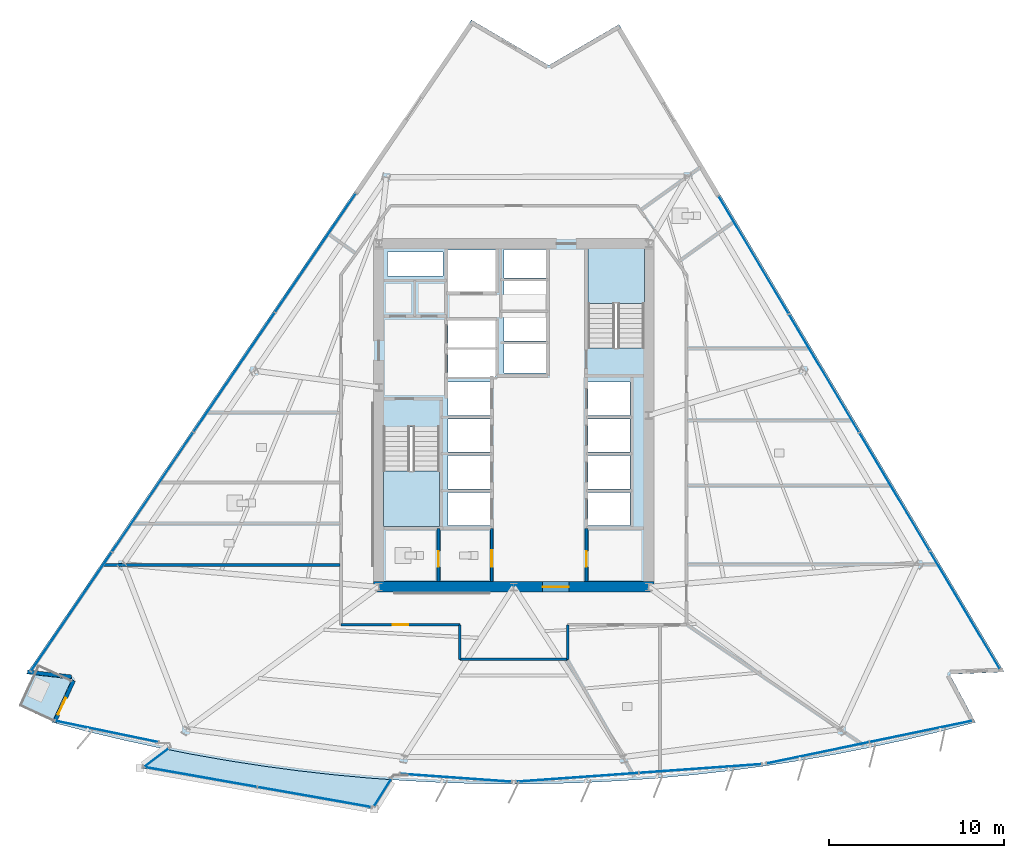
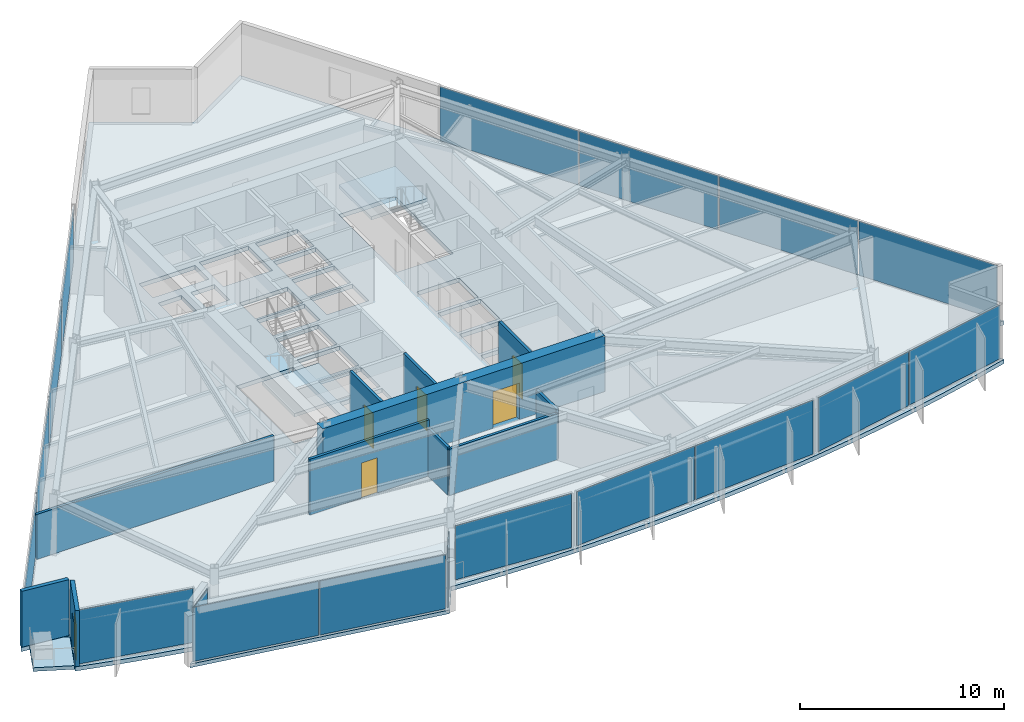
# One storey, part 7 of 15: 18 plates, 11 walls, 6 doors, 5 slabs, 6 openings, 11 elements without a shape of their own.
"""IFC4 building model written with IfcOpenShell, lengths in metres."""

import ifcopenshell
import ifcopenshell.guid

model = None  # the IFC model being written
_history = None  # IfcOwnerHistory: only IFC2X3 demands one
_inside = {}  # id of a spatial element -> (the spatial element, [elements in it])
_under = {}  # id of a project, library or spatial element -> (it, [spatial elements below it])
_declared = {}  # id of a project -> (the project, [libraries it declares])
_typed = {}  # id of a type object -> (the type object, [elements of that type])
_made_of = {}  # id of a material, layer set ... -> (it, [elements and type objects made of it])


def new_model(schema):
    """Start an empty IFC model of exactly this schema.

    Asked for "IFC4X3", IfcOpenShell would pick the latest addendum, in which some entities
    have other attributes; the version numbers below select the first issue.
    IFC2X3 requires an IfcOwnerHistory on every rooted entity: one is made here for all.
    """
    global model, _history
    if schema == "IFC4X3":
        model = ifcopenshell.file(schema_version=(4, 3, 0, 0))
    else:
        model = ifcopenshell.file(schema=schema)
    _inside.clear()
    _under.clear()
    _declared.clear()
    _typed.clear()
    _made_of.clear()
    _history = None
    if model.schema == "IFC2X3":
        org = make("IfcOrganization", Name="unknown")
        user = make(
            "IfcPersonAndOrganization",
            ThePerson=make("IfcPerson", FamilyName="unknown"),
            TheOrganization=org,
        )
        app = make(
            "IfcApplication",
            ApplicationDeveloper=org,
            Version="unknown",
            ApplicationFullName="unknown",
            ApplicationIdentifier="unknown",
        )
        _history = make(
            "IfcOwnerHistory",
            OwningUser=user,
            OwningApplication=app,
            ChangeAction="ADDED",
            CreationDate=0,
        )
    return model


def make(cls, **values):
    """One entity of the class cls with the attributes given. An attribute that is None is left unset."""
    return model.create_entity(
        cls, **{name: value for name, value in values.items() if value is not None}
    )


def rooted(cls, **values):
    """An entity with a GlobalId (a new one), such as an element, a storey or a relation."""
    return make(cls, GlobalId=ifcopenshell.guid.new(), OwnerHistory=_history, **values)


def si_unit(unit_type, name, prefix=None):
    """IfcSIUnit, for example si_unit("LENGTHUNIT", "METRE", prefix="MILLI")."""
    return make("IfcSIUnit", UnitType=unit_type, Prefix=prefix, Name=name)


def assignment(units):
    """IfcUnitAssignment: the units of a project."""
    return None if units is None else make("IfcUnitAssignment", Units=units)


def point(xyz):
    """IfcCartesianPoint."""
    return None if xyz is None else make("IfcCartesianPoint", Coordinates=xyz)


def direction(xyz):
    """IfcDirection."""
    return None if xyz is None else make("IfcDirection", DirectionRatios=xyz)


def frame(location, z_axis=None, x_axis=None):
    """IfcAxis2Placement3D, a coordinate frame: its origin and axes. An axis left out is left unset."""
    return make(
        "IfcAxis2Placement3D",
        Location=point(location),
        Axis=direction(z_axis),
        RefDirection=direction(x_axis),
    )


def frame_2d(location, x_axis=None):
    """IfcAxis2Placement2D, a coordinate frame in the plane: its origin and x axis."""
    return make(
        "IfcAxis2Placement2D", Location=point(location), RefDirection=direction(x_axis)
    )


def origin():
    """The frame at (0, 0, 0) with its axes left unset."""
    return frame((0.0, 0.0, 0.0))


def origin_2d():
    """The frame at (0, 0) in the plane with its x axis left unset."""
    return frame_2d((0.0, 0.0))


def place(relative_to, where):
    """IfcLocalPlacement: puts the frame where relative to a parent placement (None: the world)."""
    return make(
        "IfcLocalPlacement", PlacementRelTo=relative_to, RelativePlacement=where
    )


def context(
    kind, dimensions, precision=None, world=None, true_north=None, identifier=None
):
    """IfcGeometricRepresentationContext, for example the 3D "Model" context."""
    return make(
        "IfcGeometricRepresentationContext",
        ContextIdentifier=identifier,
        ContextType=kind,
        CoordinateSpaceDimension=dimensions,
        Precision=precision,
        WorldCoordinateSystem=world,
        TrueNorth=true_north,
    )


def subcontext(parent, identifier, kind, view, scale=None):
    """IfcGeometricRepresentationSubContext, for example "Body" below "Model"."""
    return make(
        "IfcGeometricRepresentationSubContext",
        ContextIdentifier=identifier,
        ContextType=kind,
        ParentContext=parent,
        TargetScale=scale,
        TargetView=view,
    )


def project(units=None, contexts=None):
    """IfcProject with its units and contexts."""
    return rooted(
        "IfcProject",
        Name="project",
        RepresentationContexts=contexts,
        UnitsInContext=assignment(units),
    )


def spatial(cls, under=None, at=None, **own):
    """A site, building, storey or space (cls), placed at a placement, below another one or the project."""
    s = rooted(cls, ObjectPlacement=at, **own)
    if under is not None:
        _under.setdefault(under.id(), (under, []))[1].append(s)
    return s


def polyline(points):
    """IfcPolyline through the points."""
    return make("IfcPolyline", Points=[point(p) for p in points])


def profile(cls, at=None, kind="AREA", **sizes):
    """A parametric profile (cls). Its sizes go by their IFC names, for example OverallWidth=200.0."""
    return make(cls, ProfileType=kind, Position=at, **sizes)


def rectangle(**sizes):
    """IfcRectangleProfileDef."""
    return profile("IfcRectangleProfileDef", **sizes)


def outline(outer, holes=None, kind="AREA"):
    """IfcArbitraryClosedProfileDef: a profile drawn as a closed curve; with holes, ...WithVoids."""
    if holes is None:
        return make("IfcArbitraryClosedProfileDef", ProfileType=kind, OuterCurve=outer)
    return make(
        "IfcArbitraryProfileDefWithVoids",
        ProfileType=kind,
        OuterCurve=outer,
        InnerCurves=holes,
    )


def extrude(swept, where, along, depth):
    """IfcExtrudedAreaSolid: the profile swept, set in the frame where, extruded along a direction by depth."""
    return make(
        "IfcExtrudedAreaSolid",
        SweptArea=swept,
        Position=where,
        ExtrudedDirection=direction(along),
        Depth=depth,
    )


def shape(context_of_items, identifier, shape_type, items):
    """IfcShapeRepresentation: the items that make up one representation, for example the "Body"."""
    return make(
        "IfcShapeRepresentation",
        ContextOfItems=context_of_items,
        RepresentationIdentifier=identifier,
        RepresentationType=shape_type,
        Items=items,
    )


def material(Name=None, Category=None):
    """IfcMaterial."""
    return make("IfcMaterial", Name=Name, Category=Category)


def layer(
    of_material, thickness, ventilated=None, Name=None, Category=None, Priority=None
):
    """IfcMaterialLayer: one layer of a wall or slab, of a material (None: an air gap)."""
    return make(
        "IfcMaterialLayer",
        Material=of_material,
        LayerThickness=thickness,
        IsVentilated=ventilated,
        Name=Name,
        Category=Category,
        Priority=Priority,
    )


def layer_set(layers, Name=None):
    """IfcMaterialLayerSet."""
    return make("IfcMaterialLayerSet", MaterialLayers=layers, LayerSetName=Name)


def made_of(thing, what):
    """Note that an element or type object is made of a material, layer set ...; save() writes the relation."""
    if what is not None:
        _made_of.setdefault(what.id(), (what, []))[1].append(thing)
    return thing


def type_object(cls, material=None, **own):
    """A type object (cls), such as IfcWallType, which elements share."""
    return made_of(rooted(cls, **own), material)


def element(
    cls,
    number,
    at=None,
    inside=None,
    cuts=None,
    type_object=None,
    material=None,
    context=None,
    identifier="Body",
    shape_type=None,
    held_by="IfcProductDefinitionShape",
    body=None,
    shapes=None,
    **own,
):
    """One element of the class cls, such as IfcWall. Its Tag is "e" and its number.

    at: its placement. inside: the storey or other place that contains it. cuts: it is an
    opening in that element (IfcRelVoidsElement). A single representation is given by context,
    identifier, shape_type and body (its items); several are given by shapes. held_by: the class
    of the entity that holds the representations. save() writes the other relations.
    """
    e = rooted(cls, Tag="e%d" % number, ObjectPlacement=at, **own)
    if body is not None:
        shapes = [shape(context, identifier, shape_type, body)]
    if shapes is not None:
        e.Representation = make(held_by, Representations=shapes)
    if inside is not None:
        _inside.setdefault(inside.id(), (inside, []))[1].append(e)
    if cuts is not None:
        rooted(
            "IfcRelVoidsElement", RelatingBuildingElement=cuts, RelatedOpeningElement=e
        )
    if type_object is not None:
        _typed.setdefault(type_object.id(), (type_object, []))[1].append(e)
    return made_of(e, material)


def fill(opening, filler):
    """IfcRelFillsElement: the door or window that sits in an opening."""
    return rooted(
        "IfcRelFillsElement",
        RelatingOpeningElement=opening,
        RelatedBuildingElement=filler,
    )


def aggregate(whole, parts):
    """IfcRelAggregates: a whole, such as a stair, and the parts it consists of."""
    return rooted("IfcRelAggregates", RelatingObject=whole, RelatedObjects=parts)


def save(model, path):
    """Write the relations noted so far, then the file.

    IfcRelAggregates (storeys below a building ...), IfcRelContainedInSpatialStructure (elements
    in a storey), IfcRelDefinesByType, IfcRelAssociatesMaterial and IfcRelDeclares: one each for
    every whole, place, type object, material and project.
    """
    for whole, parts in _under.values():
        aggregate(whole, parts)
    for where, things in _inside.values():
        rooted(
            "IfcRelContainedInSpatialStructure",
            RelatedElements=things,
            RelatingStructure=where,
        )
    for kind, things in _typed.values():
        rooted("IfcRelDefinesByType", RelatedObjects=things, RelatingType=kind)
    for what, things in _made_of.values():
        rooted("IfcRelAssociatesMaterial", RelatedObjects=things, RelatingMaterial=what)
    for by, libraries in _declared.values():
        rooted("IfcRelDeclares", RelatingContext=by, RelatedDefinitions=libraries)
    model.write(path)


model = new_model("IFC4")

# Units and contexts
model_context = context("Model", 3, precision=1e-05, world=origin(), true_north=direction((0.0, 1.0)))
body_context = subcontext(model_context, "Body", "Model", "MODEL_VIEW")
ifc_project = project(units=[si_unit("LENGTHUNIT", "METRE"), si_unit("AREAUNIT", "SQUARE_METRE"), si_unit("VOLUMEUNIT", "CUBIC_METRE"), si_unit("PLANEANGLEUNIT", "RADIAN"), si_unit("MASSUNIT", "GRAM", prefix="KILO")], contexts=[model_context])

# Site, building, storey
site_placement = place(None, origin())
site = spatial("IfcSite", under=ifc_project, at=site_placement, CompositionType="ELEMENT")
building_placement = place(site_placement, origin())
building = spatial("IfcBuilding", under=site, at=building_placement, Name="Savorim Split Tower", CompositionType="ELEMENT")
storey_placement = place(building_placement, frame((0.0, 0.0, 107.699951171875)))
storey = spatial("IfcBuildingStorey", under=building, at=storey_placement, Name="L28", CompositionType="ELEMENT", Elevation=107.699951171875)

# Curtain wall, plate
ifc_material_1 = material(Name="Dark Ceramic-Fritted Insulated Glass", Category="glass")
curtain_wall_type_1 = type_object("IfcCurtainWallType", Name="CW-TWR-FRIT-A", PredefinedType="NOTDEFINED", material=ifc_material_1)
curtain_wall_1_placement = place(storey_placement, origin())
curtain_wall_1 = element("IfcCurtainWall", 1, at=curtain_wall_1_placement, inside=storey, type_object=curtain_wall_type_1, Name="L28 Curtain Wall CW-L28-SF1A", PredefinedType="NOTDEFINED")
ifc_layer_1 = layer(ifc_material_1, 0.028076171875)
ifc_layer_set_1 = layer_set([ifc_layer_1], Name="CWP-FRITA-28")
plate_type_1 = type_object("IfcPlateType", Name="CWP-FRITA-28", PredefinedType="CURTAIN_PANEL", material=ifc_layer_set_1)
plate_1_placement = place(storey_placement, frame((-23.23974609375, -17.648681640625, 0.05517578125), z_axis=(0.0, 0.0, 1.0), x_axis=(0.979135126967, -0.203210243687, 0.0)))
plate_1 = element("IfcPlate", 2, at=plate_1_placement, type_object=plate_type_1, Name="CW-02 panel 1.1", PredefinedType="CURTAIN_PANEL", context=body_context, shape_type="SweptSolid", body=[
    extrude(rectangle(XDim=5.98388671875, YDim=0.028076171875, at=origin_2d()), origin(), (0.0, 0.0, 1.0), 3.239990234375),
])
aggregate(curtain_wall_1, [plate_1])

curtain_wall_2_placement = place(storey_placement, origin())
curtain_wall_2 = element("IfcCurtainWall", 3, at=curtain_wall_2_placement, inside=storey, type_object=curtain_wall_type_1, Name="L28 Curtain Wall CW-L28-SF2A", PredefinedType="NOTDEFINED")
plate_2_placement = place(storey_placement, frame((-3.314453125, -20.293212890625, 0.05517578125), z_axis=(0.0, 0.0, 1.0), x_axis=(0.997436108021, -0.071562632816, 0.0)))
plate_2 = element("IfcPlate", 4, at=plate_2_placement, type_object=plate_type_1, Name="CW-02 panel 1.1", PredefinedType="CURTAIN_PANEL", context=body_context, shape_type="SweptSolid", body=[
    extrude(rectangle(XDim=6.332763671875, YDim=0.028076171875, at=origin_2d()), origin(), (0.0, 0.0, 1.0), 3.239990234375),
])
aggregate(curtain_wall_2, [plate_2])

# Curtain wall, plates
curtain_wall_3_placement = place(storey_placement, origin())
curtain_wall_3 = element("IfcCurtainWall", 5, at=curtain_wall_3_placement, inside=storey, type_object=curtain_wall_type_1, Name="L28 Curtain Wall CW-L28-SF3A", PredefinedType="NOTDEFINED")
plate_3_placement = place(storey_placement, frame((3.63525390625, -20.27001953125, 0.05517578125), z_axis=(0.0, 0.0, 1.0), x_axis=(0.997436369916, 0.071558982453, 0.0)))
plate_3 = element("IfcPlate", 6, at=plate_3_placement, type_object=plate_type_1, Name="CW-02 panel 1.1", PredefinedType="CURTAIN_PANEL", context=body_context, shape_type="SweptSolid", body=[
    extrude(rectangle(XDim=6.976318359375, YDim=0.028076171875, at=origin_2d()), origin(), (0.0, 0.0, 1.0), 3.239990234375),
])
plate_4_placement = place(storey_placement, frame((10.65869140625, -19.766357421875, 0.05517578125), z_axis=(0.0, 0.0, 1.0), x_axis=(0.997436369916, 0.071558982453, 0.0)))
plate_4 = element("IfcPlate", 7, at=plate_4_placement, type_object=plate_type_1, Name="CW-02 panel 2.1", PredefinedType="CURTAIN_PANEL", context=body_context, shape_type="SweptSolid", body=[
    extrude(rectangle(XDim=6.976318359375, YDim=0.028076171875, at=origin_2d()), origin(), (0.0, 0.0, 1.0), 3.239990234375),
])
aggregate(curtain_wall_3, [plate_3, plate_4])

curtain_wall_4_placement = place(storey_placement, origin())
curtain_wall_4 = element("IfcCurtainWall", 8, at=curtain_wall_4_placement, inside=storey, type_object=curtain_wall_type_1, Name="L28 Curtain Wall CW-L28-SF4A", PredefinedType="NOTDEFINED")
plate_5_placement = place(storey_placement, frame((17.362548828125, -18.86865234375, 0.05517578125), z_axis=(0.0, 0.0, 1.0), x_axis=(0.979133868491, 0.203216307351, 0.0)))
plate_5 = element("IfcPlate", 9, at=plate_5_placement, type_object=plate_type_1, Name="CW-02 panel 1.1", PredefinedType="CURTAIN_PANEL", context=body_context, shape_type="SweptSolid", body=[
    extrude(rectangle(XDim=5.952880859375, YDim=0.028076171875, at=origin_2d()), origin(), (0.0, 0.0, 1.0), 3.239990234375),
])
plate_6_placement = place(storey_placement, frame((23.2548828125, -17.645751953125, 0.05517578125), z_axis=(0.0, 0.0, 1.0), x_axis=(0.979133868491, 0.203216307351, 0.0)))
plate_6 = element("IfcPlate", 10, at=plate_6_placement, type_object=plate_type_1, Name="CW-02 panel 2.1", PredefinedType="CURTAIN_PANEL", context=body_context, shape_type="SweptSolid", body=[
    extrude(rectangle(XDim=5.952880859375, YDim=0.028076171875, at=origin_2d()), origin(), (0.0, 0.0, 1.0), 3.239990234375),
])
aggregate(curtain_wall_4, [plate_5, plate_6])

curtain_wall_5_placement = place(storey_placement, origin())
curtain_wall_5 = element("IfcCurtainWall", 11, at=curtain_wall_5_placement, inside=storey, type_object=curtain_wall_type_1, Name="L28 Curtain Wall CW-L28-EAST", PredefinedType="NOTDEFINED")
plate_7_placement = place(storey_placement, frame((25.752197265625, -10.72705078125, 0.05517578125), z_axis=(0.0, 0.0, 1.0), x_axis=(-0.51109301502, 0.859525409745, 0.0)))
plate_7 = element("IfcPlate", 12, at=plate_7_placement, type_object=plate_type_1, Name="CW-02 panel 1.1", PredefinedType="CURTAIN_PANEL", context=body_context, shape_type="SweptSolid", body=[
    extrude(rectangle(XDim=7.777587890625, YDim=0.028076171875, at=origin_2d()), origin(), (0.0, 0.0, 1.0), 3.239990234375),
])
plate_8_placement = place(storey_placement, frame((21.735595703125, -3.972412109375, 0.05517578125), z_axis=(0.0, 0.0, 1.0), x_axis=(-0.51109301502, 0.859525409745, 0.0)))
plate_8 = element("IfcPlate", 13, at=plate_8_placement, type_object=plate_type_1, Name="CW-02 panel 2.1", PredefinedType="CURTAIN_PANEL", context=body_context, shape_type="SweptSolid", body=[
    extrude(rectangle(XDim=7.81005859375, YDim=0.028076171875, at=origin_2d()), origin(), (0.0, 0.0, 1.0), 3.239990234375),
])
plate_9_placement = place(storey_placement, frame((17.710693359375, 2.79638671875, 0.05517578125), z_axis=(0.0, 0.0, 1.0), x_axis=(-0.51109301502, 0.859525409745, 0.0)))
plate_9 = element("IfcPlate", 14, at=plate_9_placement, type_object=plate_type_1, Name="CW-02 panel 3.1", PredefinedType="CURTAIN_PANEL", context=body_context, shape_type="SweptSolid", body=[
    extrude(rectangle(XDim=7.81005859375, YDim=0.028076171875, at=origin_2d()), origin(), (0.0, 0.0, 1.0), 3.239990234375),
])
plate_10_placement = place(storey_placement, frame((13.6943359375, 9.55126953125, 0.05517578125), z_axis=(0.0, 0.0, 1.0), x_axis=(-0.51109301502, 0.859525409745, 0.0)))
plate_10 = element("IfcPlate", 15, at=plate_10_placement, type_object=plate_type_1, Name="CW-02 panel 4.1", PredefinedType="CURTAIN_PANEL", context=body_context, shape_type="SweptSolid", body=[
    extrude(rectangle(XDim=7.777587890625, YDim=0.028076171875, at=origin_2d()), origin(), (0.0, 0.0, 1.0), 3.239990234375),
])
aggregate(curtain_wall_5, [plate_7, plate_8, plate_9, plate_10])

curtain_wall_6_placement = place(storey_placement, origin())
curtain_wall_6 = element("IfcCurtainWall", 16, at=curtain_wall_6_placement, inside=storey, type_object=curtain_wall_type_1, Name="L28 Curtain Wall CW-L28-WEST", PredefinedType="NOTDEFINED")
plate_11_placement = place(storey_placement, frame((-11.3193359375, 9.67529296875, 0.05517578125), z_axis=(0.0, 0.0, 1.0), x_axis=(-0.562466669628, -0.826819959579, 0.0)))
plate_11 = element("IfcPlate", 17, at=plate_11_placement, type_object=plate_type_1, Name="CW-02 panel 1.1", PredefinedType="CURTAIN_PANEL", context=body_context, shape_type="SweptSolid", body=[
    extrude(rectangle(XDim=8.174072265625, YDim=0.028076171875, at=origin_2d()), origin(), (0.0, 0.0, 1.0), 3.239990234375),
])
plate_12_placement = place(storey_placement, frame((-15.962646484375, 2.849609375, 0.05517578125), z_axis=(0.0, 0.0, 1.0), x_axis=(-0.562466669628, -0.826819959579, 0.0)))
plate_12 = element("IfcPlate", 18, at=plate_12_placement, type_object=plate_type_1, Name="CW-02 panel 2.1", PredefinedType="CURTAIN_PANEL", context=body_context, shape_type="SweptSolid", body=[
    extrude(rectangle(XDim=8.20654296875, YDim=0.028076171875, at=origin_2d()), origin(), (0.0, 0.0, 1.0), 3.239990234375),
])
plate_13_placement = place(storey_placement, frame((-20.615234375, -3.989501953125, 0.05517578125), z_axis=(0.0, 0.0, 1.0), x_axis=(-0.562466669628, -0.826819959579, 0.0)))
plate_13 = element("IfcPlate", 19, at=plate_13_placement, type_object=plate_type_1, Name="CW-02 panel 3.1", PredefinedType="CURTAIN_PANEL", context=body_context, shape_type="SweptSolid", body=[
    extrude(rectangle(XDim=8.20654296875, YDim=0.028076171875, at=origin_2d()), origin(), (0.0, 0.0, 1.0), 3.239990234375),
])
plate_14_placement = place(storey_placement, frame((-25.258544921875, -10.815185546875, 0.05517578125), z_axis=(0.0, 0.0, 1.0), x_axis=(-0.562466669628, -0.826819959579, 0.0)))
plate_14 = element("IfcPlate", 20, at=plate_14_placement, type_object=plate_type_1, Name="CW-02 panel 4.1", PredefinedType="CURTAIN_PANEL", context=body_context, shape_type="SweptSolid", body=[
    extrude(rectangle(XDim=8.174072265625, YDim=0.028076171875, at=origin_2d()), origin(), (0.0, 0.0, 1.0), 3.239990234375),
])
aggregate(curtain_wall_6, [plate_11, plate_12, plate_13, plate_14])

curtain_wall_type_2 = type_object("IfcCurtainWallType", Name="CW-BAY-LOUNGE", PredefinedType="NOTDEFINED", material=ifc_material_1)
curtain_wall_7_placement = place(storey_placement, origin())
curtain_wall_7 = element("IfcCurtainWall", 21, at=curtain_wall_7_placement, inside=storey, type_object=curtain_wall_type_2, Name="L28 Curtain Wall CW-L28-BAYF", PredefinedType="NOTDEFINED")
ifc_material_2 = material(Name="Low-E Operable Double Glazing", Category="glass")
ifc_layer_2 = layer(ifc_material_2, 0.031982421875)
ifc_layer_set_2 = layer_set([ifc_layer_2], Name="CWP-POD-32")
plate_type_2 = type_object("IfcPlateType", Name="CWP-POD-32", PredefinedType="CURTAIN_PANEL", material=ifc_layer_set_2)
plate_15_placement = place(storey_placement, frame((-17.912353515625, -20.24365234375, 0.05517578125), z_axis=(0.0, 0.0, 1.0), x_axis=(0.984798033566, -0.173703290368, 0.0)))
plate_15 = element("IfcPlate", 22, at=plate_15_placement, type_object=plate_type_2, Name="CW-04 panel 1.1", PredefinedType="CURTAIN_PANEL", context=body_context, shape_type="SweptSolid", body=[
    extrude(rectangle(XDim=6.57763671875, YDim=0.031982421875, at=origin_2d()), origin(), (0.0, 0.0, 1.0), 3.239990234375),
])
plate_16_placement = place(storey_placement, frame((-11.37060546875, -21.397705078125, 0.05517578125), z_axis=(0.0, 0.0, 1.0), x_axis=(0.984798033566, -0.173703290368, 0.0)))
plate_16 = element("IfcPlate", 23, at=plate_16_placement, type_object=plate_type_2, Name="CW-04 panel 2.1", PredefinedType="CURTAIN_PANEL", context=body_context, shape_type="SweptSolid", body=[
    extrude(rectangle(XDim=6.57763671875, YDim=0.031982421875, at=origin_2d()), origin(), (0.0, 0.0, 1.0), 3.239990234375),
])
aggregate(curtain_wall_7, [plate_15, plate_16])

# Curtain wall, plate
curtain_wall_8_placement = place(storey_placement, origin())
curtain_wall_8 = element("IfcCurtainWall", 24, at=curtain_wall_8_placement, inside=storey, type_object=curtain_wall_type_2, Name="L28 Curtain Wall CW-L28-BAYW", PredefinedType="NOTDEFINED")
plate_17_placement = place(storey_placement, frame((-20.3955078125, -19.140869140625, 0.05517578125), z_axis=(0.0, 0.0, 1.0), x_axis=(-0.797192293395, -0.603725473499, 0.0)))
plate_17 = element("IfcPlate", 25, at=plate_17_placement, type_object=plate_type_2, Name="CW-04 panel 1.1", PredefinedType="CURTAIN_PANEL", context=body_context, shape_type="SweptSolid", body=[
    extrude(rectangle(XDim=1.704833984375, YDim=0.031982421875, at=origin_2d()), origin(), (0.0, 0.0, 1.0), 3.239990234375),
])
aggregate(curtain_wall_8, [plate_17])

curtain_wall_9_placement = place(storey_placement, origin())
curtain_wall_9 = element("IfcCurtainWall", 26, at=curtain_wall_9_placement, inside=storey, type_object=curtain_wall_type_2, Name="L28 Curtain Wall CW-L28-BAYE", PredefinedType="NOTDEFINED")
plate_18_placement = place(storey_placement, frame((-7.483154296875, -21.139892578125, 0.05517578125), z_axis=(0.0, 0.0, 1.0), x_axis=(0.531434504875, 0.847099384387, 0.0)))
plate_18 = element("IfcPlate", 27, at=plate_18_placement, type_object=plate_type_2, Name="CW-04 panel 1.1", PredefinedType="CURTAIN_PANEL", context=body_context, shape_type="SweptSolid", body=[
    extrude(rectangle(XDim=1.81005859375, YDim=0.031982421875, at=origin_2d()), origin(), (0.0, 0.0, 1.0), 3.239990234375),
])
aggregate(curtain_wall_9, [plate_18])

# Slabs
ifc_material_3 = material(Name="Concrete C50/60", Category="concrete")
ifc_layer_3 = layer(ifc_material_3, 0.219970703125)
ifc_layer_set_3 = layer_set([ifc_layer_3], Name="SLB-BAL-220")
slab_type_1 = type_object("IfcSlabType", Name="SLB-BAL-220", PredefinedType="FLOOR", material=ifc_layer_set_3)
slab_1_placement = place(storey_placement, frame((0.0, 0.0, -0.219970703125)))
element("IfcSlab", 28, at=slab_1_placement, inside=storey, type_object=slab_type_1, Name="L28 Cantilevered Shared Kitchen Lounge Slab", PredefinedType="FLOOR", context=body_context, shape_type="SweptSolid", body=[
    extrude(outline(polyline([(-6.906005859375, -20.408203125), (-8.196533203125, -20.315673828125), (-10.2392578125, -20.126953125), (-12.277587890625, -19.896484375), (-14.31103515625, -19.62451171875), (-16.33837890625, -19.310791015625), (-18.358642578125, -18.955810546875), (-19.912841796875, -18.64990234375), (-21.3505859375, -19.73876953125), (-7.967041015625, -22.099609375), (-6.906005859375, -20.408203125)])), origin(), (0.0, 0.0, 1.0), 0.219970703125),
])
slab_2_placement = place(storey_placement, frame((0.0, 0.0, -0.219970703125)))
element("IfcSlab", 29, at=slab_2_placement, inside=storey, type_object=slab_type_1, Name="L28 Notched Corner Planted Tree Balcony Slab", PredefinedType="FLOOR", context=body_context, shape_type="SweptSolid", body=[
    extrude(outline(polyline([(-26.309814453125, -17.013671875), (-25.27392578125, -14.759521484375), (-25.58447265625, -14.616943359375), (-27.367431640625, -14.417724609375), (-28.16796875, -16.159912109375), (-26.309814453125, -17.013671875)])), origin(), (0.0, 0.0, 1.0), 0.219970703125),
])

# Stair, slab
stair_type = type_object("IfcStairType", Name="STR-DOG-3600", PredefinedType="HALF_TURN_STAIR", material=ifc_material_3)
stair_1_placement = place(storey_placement, origin())
stair_1 = element("IfcStair", 30, at=stair_1_placement, inside=storey, type_object=stair_type, Name="L28 Core Protected Exit Stair ST-1", PredefinedType="HALF_TURN_STAIR")
ifc_layer_4 = layer(ifc_material_3, 0.199951171875)
ifc_layer_set_4 = layer_set([ifc_layer_4], Name="SLB-LND-200")
slab_type_2 = type_object("IfcSlabType", Name="SLB-LND-200", PredefinedType="LANDING", material=ifc_layer_set_4)
slab_3_placement = place(storey_placement, frame((0.0, 0.0, 1.60009765625)))
slab_3 = element("IfcSlab", 31, at=slab_3_placement, type_object=slab_type_2, Name="ST-1 landing 1", PredefinedType="LANDING", context=body_context, shape_type="SweptSolid", body=[
    extrude(outline(polyline([(-7.449951171875, -2.77001953125), (-7.449951171875, -5.949951171875), (-4.25, -5.949951171875), (-4.25, -2.77001953125), (-7.449951171875, -2.77001953125)])), origin(), (0.0, 0.0, 1.0), 0.199951171875),
])
aggregate(stair_1, [slab_3])

stair_2_placement = place(storey_placement, origin())
stair_2 = element("IfcStair", 32, at=stair_2_placement, inside=storey, type_object=stair_type, Name="L28 Core Protected Exit Stair ST-2", PredefinedType="HALF_TURN_STAIR")
slab_4_placement = place(storey_placement, frame((0.0, 0.0, 1.60009765625)))
slab_4 = element("IfcSlab", 33, at=slab_4_placement, type_object=slab_type_2, Name="ST-2 landing 1", PredefinedType="LANDING", context=body_context, shape_type="SweptSolid", body=[
    extrude(outline(polyline([(7.449951171875, 6.77001953125), (7.449951171875, 9.949951171875), (4.25, 9.949951171875), (4.25, 6.77001953125), (7.449951171875, 6.77001953125)])), origin(), (0.0, 0.0, 1.0), 0.199951171875),
])
aggregate(stair_2, [slab_4])

# Slab
ifc_layer_5 = layer(ifc_material_3, 0.25)
ifc_layer_set_5 = layer_set([ifc_layer_5], Name="SLB-TWR-250")
slab_type_3 = type_object("IfcSlabType", Name="SLB-TWR-250", PredefinedType="FLOOR", material=ifc_layer_set_5)
slab_5_placement = place(storey_placement, frame((0.0, 0.0, -0.25)))
element("IfcSlab", 34, at=slab_5_placement, inside=storey, type_object=slab_type_3, Name="L28 Structural Floor Slab", PredefinedType="FLOOR", context=body_context, shape_type="SweptSolid", body=[
    extrude(outline(polyline([(-26.355224609375, -17.124755859375), (-24.37060546875, -17.643798828125), (-22.375732421875, -18.1220703125), (-20.37158203125, -18.5595703125), (-18.358642578125, -18.955810546875), (-16.33837890625, -19.310791015625), (-14.31103515625, -19.62451171875), (-12.277587890625, -19.896484375), (-10.2392578125, -20.126953125), (-8.196533203125, -20.315673828125), (-6.150390625, -20.46240234375), (-4.101806640625, -20.5673828125), (-2.05126953125, -20.630126953125), (0.0, -20.651123046875), (2.05126953125, -20.630126953125), (4.101806640625, -20.5673828125), (6.150390625, -20.46240234375), (8.196533203125, -20.315673828125), (10.2392578125, -20.126953125), (12.277587890625, -19.896484375), (14.31103515625, -19.62451171875), (16.33837890625, -19.310791015625), (18.358642578125, -18.955810546875), (20.37158203125, -18.5595703125), (22.375732421875, -18.1220703125), (24.37060546875, -17.643798828125), (26.355224609375, -17.124755859375), (24.88525390625, -14.38525390625), (27.988525390625, -14.25341796875), (6.0078125, 22.712890625), (1.9951171875, 20.374267578125), (-2.420654296875, 22.969482421875), (-27.81689453125, -14.362548828125), (-25.21923828125, -14.652587890625), (-26.355224609375, -17.124755859375)]), holes=[polyline([(-7.449951171875, -0.25390625), (-7.449951171875, -5.949951171875), (-4.25, -5.949951171875), (-4.25, -0.25390625), (-7.449951171875, -0.25390625)]), polyline([(7.449951171875, 4.25390625), (7.449951171875, 9.949951171875), (4.25, 9.949951171875), (4.25, 4.25390625), (7.449951171875, 4.25390625)]), polyline([(4.25, -5.89990234375), (6.64990234375, -5.89990234375), (6.64990234375, -4.0), (4.25, -4.0), (4.25, -5.89990234375)]), polyline([(4.25, -3.800048828125), (6.64990234375, -3.800048828125), (6.64990234375, -1.89990234375), (4.25, -1.89990234375), (4.25, -3.800048828125)]), polyline([(4.25, -1.699951171875), (6.64990234375, -1.699951171875), (6.64990234375, 0.199951171875), (4.25, 0.199951171875), (4.25, -1.699951171875)]), polyline([(4.25, 0.39990234375), (6.64990234375, 0.39990234375), (6.64990234375, 2.300048828125), (4.25, 2.300048828125), (4.25, 0.39990234375)]), polyline([(-3.75, -5.89990234375), (-1.35009765625, -5.89990234375), (-1.35009765625, -4.0), (-3.75, -4.0), (-3.75, -5.89990234375)]), polyline([(-3.75, -3.800048828125), (-1.35009765625, -3.800048828125), (-1.35009765625, -1.89990234375), (-3.75, -1.89990234375), (-3.75, -3.800048828125)]), polyline([(-3.75, -1.699951171875), (-1.35009765625, -1.699951171875), (-1.35009765625, 0.199951171875), (-3.75, 0.199951171875), (-3.75, -1.699951171875)]), polyline([(-3.75, 0.39990234375), (-1.35009765625, 0.39990234375), (-1.35009765625, 2.300048828125), (-3.75, 2.300048828125), (-3.75, 0.39990234375)]), polyline([(-0.550048828125, 2.830078125), (1.85009765625, 2.830078125), (1.85009765625, 4.469970703125), (-0.550048828125, 4.469970703125), (-0.550048828125, 2.830078125)]), polyline([(-0.550048828125, 4.6298828125), (1.85009765625, 4.6298828125), (1.85009765625, 6.27001953125), (-0.550048828125, 6.27001953125), (-0.550048828125, 4.6298828125)]), polyline([(-0.550048828125, 6.429931640625), (1.85009765625, 6.429931640625), (1.85009765625, 8.070068359375), (-0.550048828125, 8.070068359375), (-0.550048828125, 6.429931640625)]), polyline([(-0.550048828125, 8.22998046875), (1.85009765625, 8.22998046875), (1.85009765625, 9.8701171875), (-0.550048828125, 9.8701171875), (-0.550048828125, 8.22998046875)]), polyline([(-3.75, 2.60009765625), (-1.050048828125, 2.60009765625), (-1.050048828125, 4.159912109375), (-3.75, 4.159912109375), (-3.75, 2.60009765625)]), polyline([(-3.75, 4.280029296875), (-1.050048828125, 4.280029296875), (-1.050048828125, 5.840087890625), (-3.75, 5.840087890625), (-3.75, 4.280029296875)]), polyline([(-3.75, 7.449951171875), (-0.949951171875, 7.449951171875), (-0.949951171875, 9.85009765625), (-3.75, 9.85009765625), (-3.75, 7.449951171875)]), polyline([(-7.219970703125, 6.320068359375), (-5.919921875, 6.320068359375), (-5.919921875, 7.820068359375), (-7.219970703125, 7.820068359375), (-7.219970703125, 6.320068359375)]), polyline([(-5.3798828125, 6.320068359375), (-4.050048828125, 6.320068359375), (-4.050048828125, 7.820068359375), (-5.3798828125, 7.820068359375), (-5.3798828125, 6.320068359375)]), polyline([(-7.219970703125, 8.360107421875), (-4.050048828125, 8.360107421875), (-4.050048828125, 9.719970703125), (-7.219970703125, 9.719970703125), (-7.219970703125, 8.360107421875)])]), origin(), (0.0, 0.0, 1.0), 0.25),
])

# Wall, opening, door
ifc_material_4 = material(Name="Concrete C60/75", Category="concrete")
ifc_layer_6 = layer(ifc_material_4, 0.60009765625)
ifc_layer_set_6 = layer_set([ifc_layer_6], Name="WAL-COR-SH600")
wall_type_1 = type_object("IfcWallType", Name="WAL-COR-SH600", PredefinedType="SHEAR", material=ifc_layer_set_6)
wall_1_placement = place(storey_placement, frame((-8.0, -9.39990234375, 0.0), z_axis=(0.0, 0.0, 1.0), x_axis=(1.0, 0.0, 0.0)))
wall_1 = element("IfcWall", 35, at=wall_1_placement, inside=storey, type_object=wall_type_1, Name="L28 Offset Core South Shear Wall", PredefinedType="SHEAR", context=body_context, shape_type="SweptSolid", body=[
    extrude(rectangle(XDim=16.0, YDim=0.60009765625, at=frame_2d((8.0, 0.0))), origin(), (0.0, 0.0, 1.0), 3.35009765625),
])
opening_1_placement = place(wall_1_placement, frame((9.64990234375, 0.0, 0.0)))
opening_1 = element("IfcOpeningElement", 36, at=opening_1_placement, cuts=wall_1, Name="Opening DI-02", PredefinedType="OPENING", context=body_context, shape_type="SweptSolid", body=[
    extrude(rectangle(XDim=1.5, YDim=2.199951171875, at=frame_2d((0.75, 1.10009765625))), frame((0.0, 0.31005859375, 0.0), z_axis=(0.0, -1.0, 0.0), x_axis=(1.0, 0.0, 0.0)), (0.0, 0.0, 1.0), 0.6201171875),
])
ifc_material_5 = material(Name="Timber Fire Door Leaf", Category="wood")
door_type_1 = type_object("IfcDoorType", Name="DOR-DBL-1500", OperationType="NOTDEFINED", PredefinedType="DOOR", material=ifc_material_5)
door_1_placement = place(opening_1_placement, origin())
door_1 = element("IfcDoor", 37, at=door_1_placement, inside=storey, type_object=door_type_1, Name="DOR-L28-COR-LLOB - L28 Lift Lobby Main Rated Door", OperationType="DOUBLE_DOOR_SINGLE_SWING", OverallHeight=2.199951171875, OverallWidth=1.5, PredefinedType="DOOR", context=body_context, shape_type="SweptSolid", body=[
    extrude(rectangle(XDim=1.5, YDim=2.199951171875, at=frame_2d((0.75, 1.10009765625))), frame((0.0, 0.02490234375, 0.0), z_axis=(0.0, -1.0, 0.0), x_axis=(1.0, 0.0, 0.0)), (0.0, 0.0, 1.0), 0.050048828125),
])
fill(opening_1, door_1)

# Wall
ifc_material_6 = material(Name="Precast concrete C40/50", Category="concrete")
ifc_layer_7 = layer(ifc_material_6, 0.219970703125)
ifc_layer_set_7 = layer_set([ifc_layer_7], Name="WAL-EXT-CRN220")
wall_type_2 = type_object("IfcWallType", Name="WAL-EXT-CRN220", PredefinedType="SOLIDWALL", material=ifc_layer_set_7)
wall_2_placement = place(storey_placement, frame((-25.24560546875, -14.52880859375, 0.0), z_axis=(0.0, 0.0, 1.0), x_axis=(-0.993831926713, 0.110896805395, 0.0)))
element("IfcWall", 38, at=wall_2_placement, inside=storey, type_object=wall_type_2, Name="L28 Notched Corner Facade Wall SW1", PredefinedType="SOLIDWALL", context=body_context, shape_type="SweptSolid", body=[
    extrude(rectangle(XDim=2.533935546875, YDim=0.219970703125, at=frame_2d((1.26708984375, 0.0))), origin(), (0.0, 0.0, 1.0), 3.35009765625),
])

# Wall, opening, door
wall_3_placement = place(storey_placement, frame((-26.2294921875, -17.138671875, 0.0), z_axis=(0.0, 0.0, 1.0), x_axis=(0.417498108462, 0.908677791866, 0.0)))
wall_3 = element("IfcWall", 39, at=wall_3_placement, inside=storey, type_object=wall_type_2, Name="L28 Notched Corner Facade Wall SW", PredefinedType="SOLIDWALL", context=body_context, shape_type="SweptSolid", body=[
    extrude(rectangle(XDim=2.640869140625, YDim=0.219970703125, at=frame_2d((1.3203125, 0.0))), origin(), (0.0, 0.0, 1.0), 3.35009765625),
])
opening_2_placement = place(wall_3_placement, frame((0.495361328125, 0.0, 0.0)))
opening_2 = element("IfcOpeningElement", 40, at=opening_2_placement, cuts=wall_3, Name="Opening DB-01", PredefinedType="OPENING", context=body_context, shape_type="SweptSolid", body=[
    extrude(rectangle(XDim=1.050048828125, YDim=2.14990234375, at=frame_2d((0.52490234375, 1.074951171875))), frame((0.0, 0.119873046875, 0.0), z_axis=(0.0, -1.0, 0.0), x_axis=(1.0, 0.0, 0.0)), (0.0, 0.0, 1.0), 0.239990234375),
])
ifc_material_7 = material(Name="Charcoal Anodised Aluminium", Category="aluminium")
door_type_2 = type_object("IfcDoorType", Name="DOR-BAL-1050", OperationType="NOTDEFINED", PredefinedType="DOOR", material=ifc_material_7)
door_2_placement = place(opening_2_placement, origin())
door_2 = element("IfcDoor", 41, at=door_2_placement, inside=storey, type_object=door_type_2, Name="DOR-L28-TBAL-SW - L28 Planted Tree Balcony Door SW", OperationType="SINGLE_SWING_LEFT", OverallHeight=2.14990234375, OverallWidth=1.050048828125, PredefinedType="DOOR", context=body_context, shape_type="SweptSolid", body=[
    extrude(rectangle(XDim=1.050048828125, YDim=2.14990234375, at=frame_2d((0.52490234375, 1.074951171875))), frame((0.0, 0.02490234375, 0.0), z_axis=(0.0, -1.0, 0.0), x_axis=(1.0, 0.0, 0.0)), (0.0, 0.0, 1.0), 0.050048828125),
])
fill(opening_2, door_2)

ifc_material_8 = material(Name="Acoustic Gypsum Partition Board")
ifc_layer_8 = layer(ifc_material_8, 0.14990234375)
ifc_layer_set_8 = layer_set([ifc_layer_8], Name="WAL-PAR-150")
wall_type_3 = type_object("IfcWallType", Name="WAL-PAR-150", PredefinedType="PARTITIONING", material=ifc_layer_set_8)
wall_4_placement = place(storey_placement, frame((-1.25, -9.094970703125, 0.0), z_axis=(0.0, 0.0, 1.0), x_axis=(0.0, 1.0, 0.0)))
wall_4 = element("IfcWall", 42, at=wall_4_placement, inside=storey, type_object=wall_type_3, Name="L28 Partition W-L28-KLOB-W", PredefinedType="PARTITIONING", context=body_context, shape_type="SweptSolid", body=[
    extrude(rectangle(XDim=3.044921875, YDim=0.14990234375, at=frame_2d((1.5224609375, 0.0))), origin(), (0.0, 0.0, 1.0), 3.35009765625),
])
opening_3_placement = place(wall_4_placement, frame((0.844970703125, 0.0, 0.0)))
opening_3 = element("IfcOpeningElement", 43, at=opening_3_placement, cuts=wall_4, Name="Opening DI-10", PredefinedType="OPENING", context=body_context, shape_type="SweptSolid", body=[
    extrude(rectangle(XDim=0.949951171875, YDim=2.10009765625, at=frame_2d((0.47509765625, 1.050048828125))), frame((0.0, 0.0849609375, 0.0), z_axis=(0.0, -1.0, 0.0), x_axis=(1.0, 0.0, 0.0)), (0.0, 0.0, 1.0), 0.169921875),
])
ifc_material_9 = material(Name="Oak Veneer Acoustic Door")
door_type_3 = type_object("IfcDoorType", Name="DOR-WC-950", OperationType="NOTDEFINED", PredefinedType="DOOR", material=ifc_material_9)
door_3_placement = place(opening_3_placement, origin())
door_3 = element("IfcDoor", 44, at=door_3_placement, inside=storey, type_object=door_type_3, Name="DR-L28-K1WC - L28 Core Accessible WC Door", OperationType="SINGLE_SWING_LEFT", OverallHeight=2.10009765625, OverallWidth=0.949951171875, PredefinedType="DOOR", context=body_context, shape_type="SweptSolid", body=[
    extrude(rectangle(XDim=0.949951171875, YDim=2.10009765625, at=frame_2d((0.47509765625, 1.050048828125))), frame((0.0, 0.02490234375, 0.0), z_axis=(0.0, -1.0, 0.0), x_axis=(1.0, 0.0, 0.0)), (0.0, 0.0, 1.0), 0.050048828125),
])
fill(opening_3, door_3)

wall_5_placement = place(storey_placement, frame((4.14990234375, -9.094970703125, 0.0), z_axis=(0.0, 0.0, 1.0), x_axis=(0.0, 1.0, 0.0)))
wall_5 = element("IfcWall", 45, at=wall_5_placement, inside=storey, type_object=wall_type_3, Name="L28 Partition W-L28-KLOB-E", PredefinedType="PARTITIONING", context=body_context, shape_type="SweptSolid", body=[
    extrude(rectangle(XDim=3.044921875, YDim=0.14990234375, at=frame_2d((1.5224609375, 0.0))), origin(), (0.0, 0.0, 1.0), 3.35009765625),
])
opening_4_placement = place(wall_5_placement, frame((0.844970703125, 0.0, 0.0)))
opening_4 = element("IfcOpeningElement", 46, at=opening_4_placement, cuts=wall_5, Name="Opening DI-06", PredefinedType="OPENING", context=body_context, shape_type="SweptSolid", body=[
    extrude(rectangle(XDim=0.89990234375, YDim=2.10009765625, at=frame_2d((0.449951171875, 1.050048828125))), frame((0.0, 0.0849609375, 0.0), z_axis=(0.0, -1.0, 0.0), x_axis=(1.0, 0.0, 0.0)), (0.0, 0.0, 1.0), 0.169921875),
])
door_type_4 = type_object("IfcDoorType", Name="DOR-FIR-900", OperationType="NOTDEFINED", PredefinedType="DOOR", material=ifc_material_5)
door_4_placement = place(opening_4_placement, origin())
door_4 = element("IfcDoor", 47, at=door_4_placement, inside=storey, type_object=door_type_4, Name="DR-L28-K1IT - L28 Core IT Room Door", OperationType="SINGLE_SWING_LEFT", OverallHeight=2.10009765625, OverallWidth=0.89990234375, PredefinedType="DOOR", context=body_context, shape_type="SweptSolid", body=[
    extrude(rectangle(XDim=0.89990234375, YDim=2.10009765625, at=frame_2d((0.449951171875, 1.050048828125))), frame((0.0, 0.02490234375, 0.0), z_axis=(0.0, -1.0, 0.0), x_axis=(1.0, 0.0, 0.0)), (0.0, 0.0, 1.0), 0.050048828125),
])
fill(opening_4, door_4)

wall_6_placement = place(storey_placement, frame((-4.300048828125, -9.094970703125, 0.0), z_axis=(0.0, 0.0, 1.0), x_axis=(0.0, 1.0, 0.0)))
wall_6 = element("IfcWall", 48, at=wall_6_placement, inside=storey, type_object=wall_type_3, Name="L28 Partition W-L28-K1W", PredefinedType="PARTITIONING", context=body_context, shape_type="SweptSolid", body=[
    extrude(rectangle(XDim=3.044921875, YDim=0.14990234375, at=frame_2d((1.5224609375, 0.0))), origin(), (0.0, 0.0, 1.0), 3.35009765625),
])
opening_5_placement = place(wall_6_placement, frame((0.844970703125, 0.0, 0.0)))
opening_5 = element("IfcOpeningElement", 49, at=opening_5_placement, cuts=wall_6, Name="Opening DI-06", PredefinedType="OPENING", context=body_context, shape_type="SweptSolid", body=[
    extrude(rectangle(XDim=0.89990234375, YDim=2.10009765625, at=frame_2d((0.449951171875, 1.050048828125))), frame((0.0, 0.0849609375, 0.0), z_axis=(0.0, -1.0, 0.0), x_axis=(1.0, 0.0, 0.0)), (0.0, 0.0, 1.0), 0.169921875),
])
door_5_placement = place(opening_5_placement, origin())
door_5 = element("IfcDoor", 50, at=door_5_placement, inside=storey, type_object=door_type_4, Name="DR-L28-K1HK - L28 Shared Bathroom Door", OperationType="SINGLE_SWING_RIGHT", OverallHeight=2.10009765625, OverallWidth=0.89990234375, PredefinedType="DOOR", context=body_context, shape_type="SweptSolid", body=[
    extrude(rectangle(XDim=0.89990234375, YDim=2.10009765625, at=frame_2d((0.449951171875, 1.050048828125))), frame((0.0, 0.02490234375, 0.0), z_axis=(0.0, -1.0, 0.0), x_axis=(1.0, 0.0, 0.0)), (0.0, 0.0, 1.0), 0.050048828125),
])
fill(opening_5, door_5)

# Walls
wall_7_placement = place(storey_placement, frame((3.080078125, -11.56005859375, 0.0), z_axis=(0.0, 0.0, 1.0), x_axis=(0.0, -1.0, 0.0)))
element("IfcWall", 51, at=wall_7_placement, inside=storey, type_object=wall_type_3, Name="L28 Partition W-L28-COR-07", PredefinedType="PARTITIONING", context=body_context, shape_type="SweptSolid", body=[
    extrude(rectangle(XDim=1.969970703125, YDim=0.14990234375, at=frame_2d((0.98486328125, 0.0))), origin(), (0.0, 0.0, 1.0), 2.9951171875),
])
wall_8_placement = place(storey_placement, frame((3.080078125, -13.530029296875, 0.0), z_axis=(0.0, 0.0, 1.0), x_axis=(-1.0, 0.0, 0.0)))
element("IfcWall", 52, at=wall_8_placement, inside=storey, type_object=wall_type_3, Name="L28 Partition W-L28-COR-08", PredefinedType="PARTITIONING", context=body_context, shape_type="SweptSolid", body=[
    extrude(rectangle(XDim=6.16015625, YDim=0.14990234375, at=frame_2d((3.080078125, 0.0))), origin(), (0.0, 0.0, 1.0), 2.775146484375),
])
wall_9_placement = place(storey_placement, frame((-3.080078125, -13.530029296875, 0.0), z_axis=(0.0, 0.0, 1.0), x_axis=(0.0, 1.0, 0.0)))
element("IfcWall", 53, at=wall_9_placement, inside=storey, type_object=wall_type_3, Name="L28 Partition W-L28-COR-09", PredefinedType="PARTITIONING", context=body_context, shape_type="SweptSolid", body=[
    extrude(rectangle(XDim=1.969970703125, YDim=0.14990234375, at=frame_2d((0.98486328125, 0.0))), origin(), (0.0, 0.0, 1.0), 2.875),
])

# Wall, opening, door
wall_10_placement = place(storey_placement, frame((-3.080078125, -11.56005859375, 0.0), z_axis=(0.0, 0.0, 1.0), x_axis=(-1.0, 0.0, 0.0)))
wall_10 = element("IfcWall", 54, at=wall_10_placement, inside=storey, type_object=wall_type_3, Name="L28 Partition W-L28-COR-10", PredefinedType="PARTITIONING", context=body_context, shape_type="SweptSolid", body=[
    extrude(rectangle(XDim=6.780029296875, YDim=0.14990234375, at=frame_2d((3.39013671875, 0.0))), origin(), (0.0, 0.0, 1.0), 3.35009765625),
])
opening_6_placement = place(wall_10_placement, frame((2.93994140625, 0.0, 0.0)))
opening_6 = element("IfcOpeningElement", 55, at=opening_6_placement, cuts=wall_10, Name="Opening DI-06", PredefinedType="OPENING", context=body_context, shape_type="SweptSolid", body=[
    extrude(rectangle(XDim=0.89990234375, YDim=2.10009765625, at=frame_2d((0.449951171875, 1.050048828125))), frame((0.0, 0.0849609375, 0.0), z_axis=(0.0, -1.0, 0.0), x_axis=(1.0, 0.0, 0.0)), (0.0, 0.0, 1.0), 0.169921875),
])
door_6_placement = place(opening_6_placement, origin())
door_6 = element("IfcDoor", 56, at=door_6_placement, inside=storey, type_object=door_type_4, Name="DR-L28-RM04 - L28 Co-Working Commons Entry Door", OperationType="SINGLE_SWING_LEFT", OverallHeight=2.10009765625, OverallWidth=0.89990234375, PredefinedType="DOOR", context=body_context, shape_type="SweptSolid", body=[
    extrude(rectangle(XDim=0.89990234375, YDim=2.10009765625, at=frame_2d((0.449951171875, 1.050048828125))), frame((0.0, 0.02490234375, 0.0), z_axis=(0.0, -1.0, 0.0), x_axis=(1.0, 0.0, 0.0)), (0.0, 0.0, 1.0), 0.050048828125),
])
fill(opening_6, door_6)

# Wall
wall_11_placement = place(storey_placement, frame((-9.919921875, -8.142578125, 0.0), z_axis=(0.0, 0.0, 1.0), x_axis=(-1.0, 0.0, 0.0)))
element("IfcWall", 57, at=wall_11_placement, inside=storey, type_object=wall_type_3, Name="L28 Partition W-L28-PRAD10", PredefinedType="PARTITIONING", context=body_context, shape_type="SweptSolid", body=[
    extrude(rectangle(XDim=13.4599609375, YDim=0.14990234375, at=frame_2d((6.72998046875, 0.0))), origin(), (0.0, 0.0, 1.0), 2.705078125),
])

save(model, "model.ifc")
